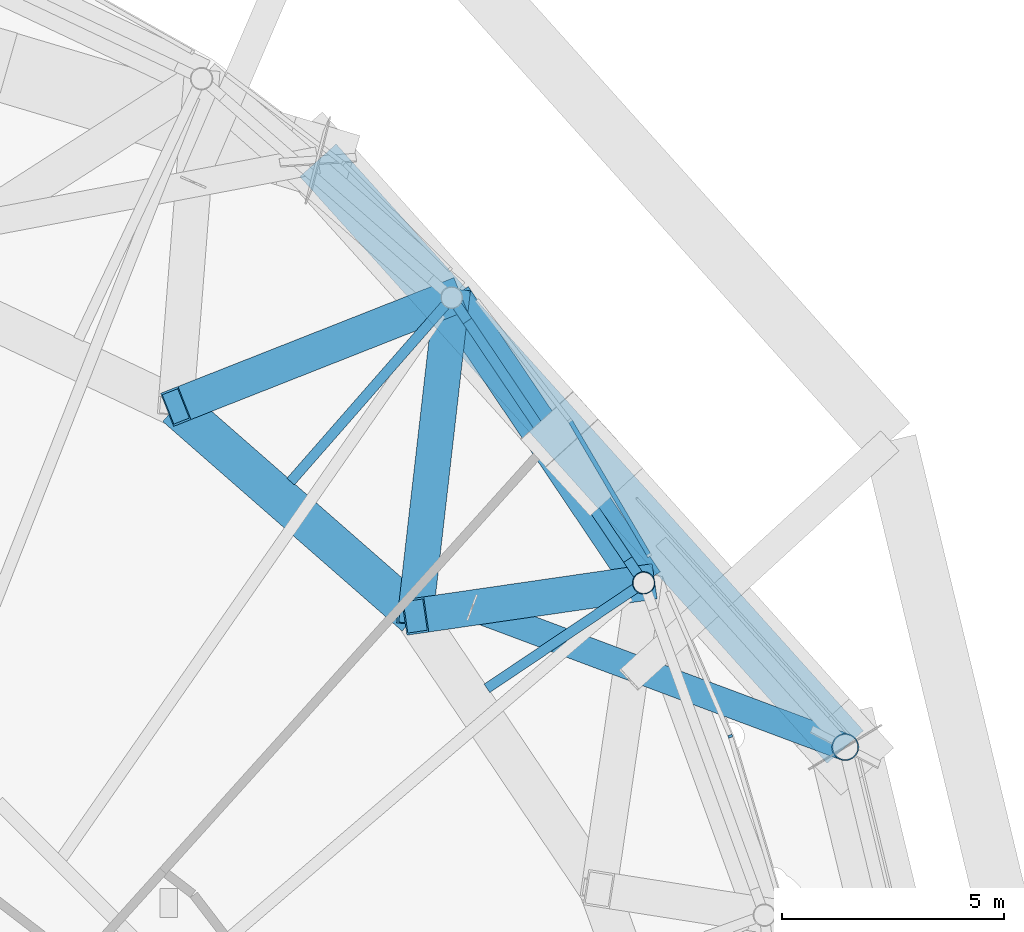
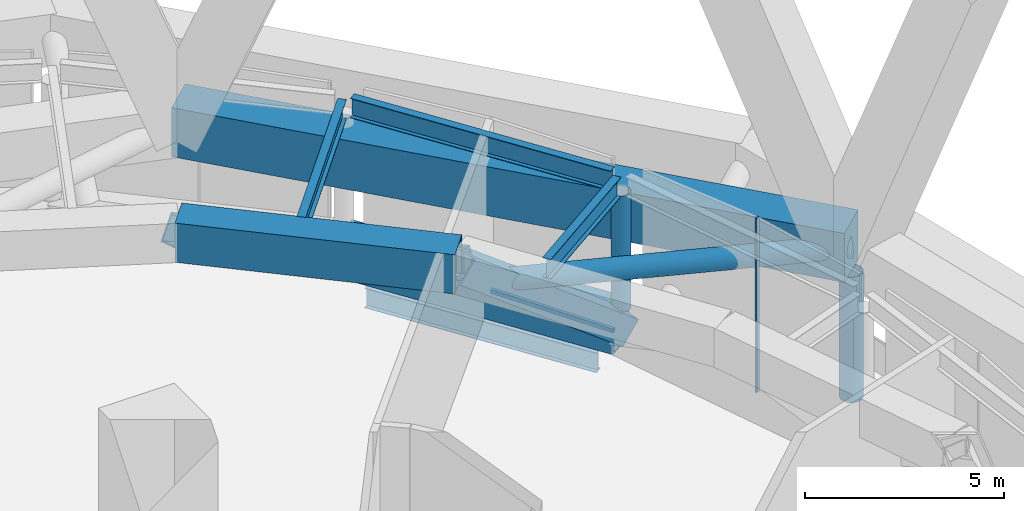
# One storey, part 34 of 65: 9 beams, 6 members, 2 elements without a shape of their own.
"""IFC4 building model written with IfcOpenShell, lengths in metres."""

from ifc_helpers import new_model, si_unit, direction, frame, origin, origin_2d, place, context, subcontext, project, spatial, rectangle, hollow_rectangle, hollow_circle, i_section, extrude, material, layer, layer_set, material_profile, profile_set, type_object, element, aggregate, save


model = new_model("IFC4")

# Units and contexts
model_context = context("Model", 3, precision=1e-05, world=origin(), true_north=direction((0.0, 1.0)))
body_context = subcontext(model_context, "Body", "Model", "MODEL_VIEW")
ifc_project = project(units=[si_unit("LENGTHUNIT", "METRE"), si_unit("AREAUNIT", "SQUARE_METRE"), si_unit("VOLUMEUNIT", "CUBIC_METRE"), si_unit("PLANEANGLEUNIT", "RADIAN"), si_unit("MASSUNIT", "GRAM", prefix="KILO")], contexts=[model_context])

# Site, building, storey
site_placement = place(None, origin())
site = spatial("IfcSite", under=ifc_project, at=site_placement, CompositionType="ELEMENT")
building_placement = place(site_placement, origin())
building = spatial("IfcBuilding", under=site, at=building_placement, Name="Nagisa Residences", CompositionType="ELEMENT")
storey_placement = place(building_placement, frame((0.0, 0.0, 114.0)))
storey = spatial("IfcBuildingStorey", under=building, at=storey_placement, Name="L28", CompositionType="ELEMENT", Elevation=114.0)

# Beams
ifc_material_1 = material(Name="Steel ASTM A572 Gr 50", Category="steel")
ifc_material_profile_1 = material_profile(ifc_material_1, hollow_rectangle(XDim=0.89990234375, YDim=1.199951171875, WallThickness=0.050048828125, at=origin_2d()), Name="BX 900x1200x50")
ifc_profile_set_1 = profile_set([ifc_material_profile_1], Name="Steel ASTM A572 Gr 50")
beam_type_1 = type_object("IfcBeamType", Name="Belt chord 2 BX 900x1200x50", PredefinedType="BEAM", material=ifc_profile_set_1)
beam_1_placement = place(storey_placement, frame((21.75146484375, 18.625244140625, 0.60009765625), z_axis=(-0.558231952624, 0.829684932411, 0.0), x_axis=(-0.829684932411, -0.558231952624, 0.0)))
element("IfcBeam", 1, at=beam_1_placement, inside=storey, type_object=beam_type_1, Name="beam:L28:bt2b03", PredefinedType="BEAM", context=body_context, shape_type="SweptSolid", body=[
    extrude(hollow_rectangle(XDim=0.89990234375, YDim=1.199951171875, WallThickness=0.050048828125, at=origin_2d()), origin(), (0.0, 0.0, 1.0), 7.741943359375),
])
beam_2_placement = place(storey_placement, frame((16.609619140625, 17.8798828125, 4.739990234375), z_axis=(-0.752513371651, 0.658576970055, 0.0), x_axis=(-0.658576970055, -0.752513371651, 0.0)))
element("IfcBeam", 2, at=beam_2_placement, inside=storey, type_object=beam_type_1, Name="beam:L28:bt2t04", PredefinedType="BEAM", context=body_context, shape_type="SweptSolid", body=[
    extrude(hollow_rectangle(XDim=0.89990234375, YDim=1.199951171875, WallThickness=0.050048828125, at=origin_2d()), origin(), (0.0, 0.0, 1.0), 7.16552734375),
])
ifc_material_2 = material(Name="Steel ASTM A572 Gr 50", Category="steel")
ifc_material_profile_2 = material_profile(ifc_material_2, hollow_rectangle(XDim=0.800048828125, YDim=0.800048828125, WallThickness=0.044921875, at=origin_2d()), Name="BX 800x800x45")
ifc_profile_set_2 = profile_set([ifc_material_profile_2], Name="Steel ASTM A572 Gr 50")
beam_type_2 = type_object("IfcBeamType", Name="Belt diagonal 2 BX 800x800x45", PredefinedType="BEAM", material=ifc_profile_set_2)
beam_3_placement = place(storey_placement, frame((21.75146484375, 18.625244140625, 0.60009765625), z_axis=(-0.77399480671, -0.1121981931, 0.623172211071), x_axis=(0.143460421459, -0.98965605514, 0.0)))
element("IfcBeam", 3, at=beam_3_placement, inside=storey, type_object=beam_type_2, Name="beam:L28:bt2db03", PredefinedType="BEAM", context=body_context, shape_type="SweptSolid", body=[
    extrude(hollow_rectangle(XDim=0.800048828125, YDim=0.800048828125, WallThickness=0.044921875, at=origin_2d()), origin(), (0.0, 0.0, 1.0), 6.643310546875),
])
beam_4_placement = place(storey_placement, frame((17.4296875, 25.048583984375, 0.60009765625), z_axis=(-0.09858079232, -0.86175284456, 0.49765837909), x_axis=(0.993520343051, -0.113654423332, 0.0)))
element("IfcBeam", 4, at=beam_4_placement, inside=storey, type_object=beam_type_2, Name="beam:L28:bt2da04", PredefinedType="BEAM", context=body_context, shape_type="SweptSolid", body=[
    extrude(hollow_rectangle(XDim=0.800048828125, YDim=0.800048828125, WallThickness=0.044921875, at=origin_2d()), origin(), (0.0, 0.0, 1.0), 8.31884765625),
])
beam_5_placement = place(storey_placement, frame((17.4296875, 25.048583984375, 0.60009765625), z_axis=(-0.790663991245, -0.311791019381, 0.526912528966), x_axis=(0.36684769891, -0.930281014428, 0.0)))
element("IfcBeam", 5, at=beam_5_placement, inside=storey, type_object=beam_type_2, Name="beam:L28:bt2db04", PredefinedType="BEAM", context=body_context, shape_type="SweptSolid", body=[
    extrude(hollow_rectangle(XDim=0.800048828125, YDim=0.800048828125, WallThickness=0.044921875, at=origin_2d()), origin(), (0.0, 0.0, 1.0), 7.85693359375),
])

# Curtain wall, member
ifc_material_3 = material(Name="Aluminium curtain wall system", Category="aluminium")
ifc_layer = layer(ifc_material_3, 0.159912109375)
ifc_layer_set = layer_set([ifc_layer], Name="CW5 CURTAIN WALL")
curtain_wall_type = type_object("IfcCurtainWallType", Name="CW5 CURTAIN WALL", PredefinedType="NOTDEFINED", material=ifc_layer_set)
curtain_wall_1_placement = place(storey_placement, origin())
curtain_wall_1 = element("IfcCurtainWall", 6, at=curtain_wall_1_placement, inside=storey, type_object=curtain_wall_type, Name="cw:CW5:L28:03", PredefinedType="NOTDEFINED")
ifc_material_4 = material(Name="Aluminium", Category="aluminium")
ifc_material_profile_3 = material_profile(ifc_material_4, rectangle(XDim=0.10009765625, YDim=0.06005859375, at=origin_2d()), Name="CW5 MULLION 100x60")
ifc_profile_set_3 = profile_set([ifc_material_profile_3], Name="Aluminium")
member_type_1 = type_object("IfcMemberType", Name="CW5 MULLION 100x60", PredefinedType="MULLION", material=ifc_profile_set_3)
member_1_placement = place(storey_placement, frame((23.701416015625, 15.173583984375, 0.0), z_axis=(0.0, 0.0, 1.0), x_axis=(-0.917543276295, -0.397635934147, 0.0)))
member_1 = element("IfcMember", 7, at=member_1_placement, type_object=member_type_1, Name="CW5 mullion", PredefinedType="MULLION", context=body_context, shape_type="SweptSolid", body=[
    extrude(rectangle(XDim=0.10009765625, YDim=0.06005859375, at=origin_2d()), origin(), (0.0, 0.0, 1.0), 5.340087890625),
])
aggregate(curtain_wall_1, [member_1])

curtain_wall_2_placement = place(storey_placement, origin())
curtain_wall_2 = element("IfcCurtainWall", 8, at=curtain_wall_2_placement, inside=storey, type_object=curtain_wall_type, Name="cw:CW5:L28:04", PredefinedType="NOTDEFINED")
ifc_material_5 = material(Name="Aluminium", Category="aluminium")
ifc_material_profile_4 = material_profile(ifc_material_5, rectangle(XDim=0.10009765625, YDim=0.1201171875, at=origin_2d()), Name="CW5 TRANSOM 100x120")
ifc_profile_set_4 = profile_set([ifc_material_profile_4], Name="Aluminium")
member_type_2 = type_object("IfcMemberType", Name="CW5 TRANSOM 100x120", PredefinedType="USERDEFINED", material=ifc_profile_set_4)
member_2_placement = place(storey_placement, frame((21.8876953125, 19.22265625, 0.06005859375), z_axis=(-0.506323754654, 0.862343467229, 0.0), x_axis=(-0.862343467229, -0.506323754654, 0.0)))
member_2 = element("IfcMember", 9, at=member_2_placement, type_object=member_type_2, Name="CW5 transom", ObjectType="TRANSOM", PredefinedType="USERDEFINED", context=body_context, shape_type="SweptSolid", body=[
    extrude(rectangle(XDim=0.10009765625, YDim=0.1201171875, at=origin_2d()), origin(), (0.0, 0.0, 1.0), 3.524658203125),
])
aggregate(curtain_wall_2, [member_2])

# Members
ifc_material_6 = material(Name="Concrete C80", Category="concrete")
ifc_material_profile_5 = material_profile(ifc_material_6, rectangle(XDim=1.10009765625, YDim=1.5, at=origin_2d()), Name="C80 1100x1500")
ifc_profile_set_5 = profile_set([ifc_material_profile_5], Name="Concrete C80")
member_type_3 = type_object("IfcMemberType", Name="Cage ring 3 C80 1100x1500", PredefinedType="CHORD", material=ifc_profile_set_5)
member_3_placement = place(storey_placement, frame((26.28955078125, 14.9296875, 3.699951171875), z_axis=(-0.668384358663, 0.743816072087, 0.0), x_axis=(-0.743816072087, -0.668384358663, 0.0)))
element("IfcMember", 10, at=member_3_placement, inside=storey, type_object=member_type_3, Name="beam:L28:cg3r002", PredefinedType="CHORD", context=body_context, shape_type="SweptSolid", body=[
    extrude(rectangle(XDim=1.10009765625, YDim=1.5, at=origin_2d()), origin(), (0.0, 0.0, 1.0), 17.762451171875),
])
ifc_material_7 = material(Name="Steel ASTM A572 Gr 65", Category="steel")
ifc_material_profile_6 = material_profile(ifc_material_7, hollow_circle(Radius=0.304931640625, WallThickness=0.02490234375, at=origin_2d()), Name="CHS 610x25")
ifc_profile_set_6 = profile_set([ifc_material_profile_6], Name="Steel ASTM A572 Gr 65")
member_type_4 = type_object("IfcMemberType", Name="Cage strut CHS 610x25", PredefinedType="STRUT", material=ifc_profile_set_6)
member_4_placement = place(storey_placement, frame((26.28955078125, 14.9296875, 3.699951171875), z_axis=(-0.936630187651, 0.350319699104, 0.0), x_axis=(-0.350319699104, -0.936630187651, 0.0)))
element("IfcMember", 11, at=member_4_placement, inside=storey, type_object=member_type_4, Name="mem:L28:bt2st3b02", PredefinedType="STRUT", context=body_context, shape_type="SweptSolid", body=[
    extrude(hollow_circle(Radius=0.304931640625, WallThickness=0.02490234375, at=origin_2d()), origin(), (0.0, 0.0, 1.0), 8.9560546875),
])
ifc_material_8 = material(Name="Steel ASTM A572 Gr 65", Category="steel")
ifc_material_profile_7 = material_profile(ifc_material_8, hollow_circle(Radius=0.304931640625, WallThickness=0.02490234375, at=origin_2d()), Name="CHS 610x25")
ifc_profile_set_7 = profile_set([ifc_material_profile_7], Name="Steel ASTM A572 Gr 65")
member_type_5 = type_object("IfcMemberType", Name="Deck hanger CHS 610x25", PredefinedType="POST", material=ifc_profile_set_7)
member_5_placement = place(storey_placement, frame((26.28955078125, 14.9296875, 2.949951171875), z_axis=(0.0, 0.0, -1.0), x_axis=(1.0, 0.0, 0.0)))
element("IfcMember", 12, at=member_5_placement, inside=storey, type_object=member_type_5, Name="mem:L28:deckhanger02", PredefinedType="POST", context=body_context, shape_type="SweptSolid", body=[
    extrude(hollow_circle(Radius=0.304931640625, WallThickness=0.02490234375, at=origin_2d()), origin(), (0.0, 0.0, 1.0), 3.83984375),
])

# Beam
ifc_material_9 = material(Name="Steel ASTM A572 Gr 50", Category="steel")
ifc_material_profile_8 = material_profile(ifc_material_9, i_section(OverallWidth=0.22802734375, OverallDepth=0.60302734375, WebThickness=0.010498046875, FlangeThickness=0.014892578125, at=origin_2d()), Name="W610x101")
ifc_profile_set_8 = profile_set([ifc_material_profile_8], Name="Steel ASTM A572 Gr 50")
beam_type_3 = type_object("IfcBeamType", Name="Garden edge beam W610x101", PredefinedType="BEAM", material=ifc_profile_set_8)
beam_6_placement = place(storey_placement, frame((21.620849609375, 18.8193359375, 5.03857421875), z_axis=(-0.55822710519, 0.829688193861, 0.0), x_axis=(-0.829688193861, -0.55822710519, 0.0)))
element("IfcBeam", 13, at=beam_6_placement, inside=storey, type_object=beam_type_3, Name="beam:L28:bt2ge03", PredefinedType="BEAM", context=body_context, shape_type="SweptSolid", body=[
    extrude(i_section(OverallWidth=0.22802734375, OverallDepth=0.60302734375, WebThickness=0.010498046875, FlangeThickness=0.014892578125, at=origin_2d()), origin(), (0.0, 0.0, 1.0), 7.27392578125),
])

# Member
ifc_material_10 = material(Name="Steel ASTM A572 Gr 65", Category="steel")
ifc_material_profile_9 = material_profile(ifc_material_10, hollow_circle(Radius=0.25390625, WallThickness=0.02001953125, at=origin_2d()), Name="CHS 508x20")
ifc_profile_set_9 = profile_set([ifc_material_profile_9], Name="Steel ASTM A572 Gr 65")
member_type_6 = type_object("IfcMemberType", Name="Garden edge post CHS 508x20", PredefinedType="POST", material=ifc_profile_set_9)
member_6_placement = place(storey_placement, frame((21.75146484375, 18.625244140625, 1.199951171875), z_axis=(0.0, 0.0, 1.0), x_axis=(1.0, 0.0, 0.0)))
element("IfcMember", 14, at=member_6_placement, inside=storey, type_object=member_type_6, Name="mem:L28:gp203", PredefinedType="POST", context=body_context, shape_type="SweptSolid", body=[
    extrude(hollow_circle(Radius=0.25390625, WallThickness=0.02001953125, at=origin_2d()), origin(), (0.0, 0.0, 1.0), 3.537109375),
])

# Beams
ifc_material_11 = material(Name="Steel ASTM A572 Gr 50", Category="steel")
ifc_material_profile_10 = material_profile(ifc_material_11, i_section(OverallWidth=0.22802734375, OverallDepth=0.60302734375, WebThickness=0.010498046875, FlangeThickness=0.014892578125, at=origin_2d()), Name="W610x101")
ifc_profile_set_10 = profile_set([ifc_material_profile_10], Name="Steel ASTM A572 Gr 50")
beam_type_4 = type_object("IfcBeamType", Name="Garden radial beam W610x101", PredefinedType="BEAM", material=ifc_profile_set_10)
beam_7_placement = place(storey_placement, frame((21.557373046875, 18.49462890625, 5.03857421875), z_axis=(-0.829706250989, -0.558200266097, 0.0), x_axis=(0.558200266097, -0.829706250989, 0.0)))
element("IfcBeam", 15, at=beam_7_placement, inside=storey, type_object=beam_type_4, Name="beam:L28:bt2gr03", PredefinedType="BEAM", context=body_context, shape_type="SweptSolid", body=[
    extrude(i_section(OverallWidth=0.22802734375, OverallDepth=0.60302734375, WebThickness=0.010498046875, FlangeThickness=0.014892578125, at=origin_2d()), origin(), (0.0, 0.0, 1.0), 4.0185546875),
])
beam_8_placement = place(storey_placement, frame((17.275634765625, 24.87255859375, 5.03857421875), z_axis=(-0.658576749157, -0.752513564974, 0.0), x_axis=(0.752513564974, -0.658576749157, 0.0)))
element("IfcBeam", 16, at=beam_8_placement, inside=storey, type_object=beam_type_4, Name="beam:L28:bt2gr04", PredefinedType="BEAM", context=body_context, shape_type="SweptSolid", body=[
    extrude(i_section(OverallWidth=0.22802734375, OverallDepth=0.60302734375, WebThickness=0.010498046875, FlangeThickness=0.014892578125, at=origin_2d()), origin(), (0.0, 0.0, 1.0), 5.270751953125),
])
ifc_material_12 = material(Name="Steel ASTM A572 Gr 50", Category="steel")
ifc_material_profile_11 = material_profile(ifc_material_12, i_section(OverallWidth=0.22900390625, OverallDepth=0.612060546875, WebThickness=0.011962890625, FlangeThickness=0.01953125, at=origin_2d()), Name="W610x125")
ifc_profile_set_11 = profile_set([ifc_material_profile_11], Name="Steel ASTM A572 Gr 50")
beam_type_5 = type_object("IfcBeamType", Name="Perimeter ring beam W610x125", PredefinedType="BEAM", material=ifc_profile_set_11)
beam_9_placement = place(storey_placement, frame((21.397216796875, 19.152099609375, -0.656005859375), z_axis=(-0.55824704812, 0.829674775599, 0.0), x_axis=(-0.829674775599, -0.55824704812, 0.0)))
element("IfcBeam", 17, at=beam_9_placement, inside=storey, type_object=beam_type_5, Name="beam:L28:pb03", PredefinedType="BEAM", context=body_context, shape_type="SweptSolid", body=[
    extrude(i_section(OverallWidth=0.22900390625, OverallDepth=0.612060546875, WebThickness=0.011962890625, FlangeThickness=0.01953125, at=origin_2d()), origin(), (0.0, 0.0, 1.0), 6.4716796875),
])

save(model, "model.ifc")
